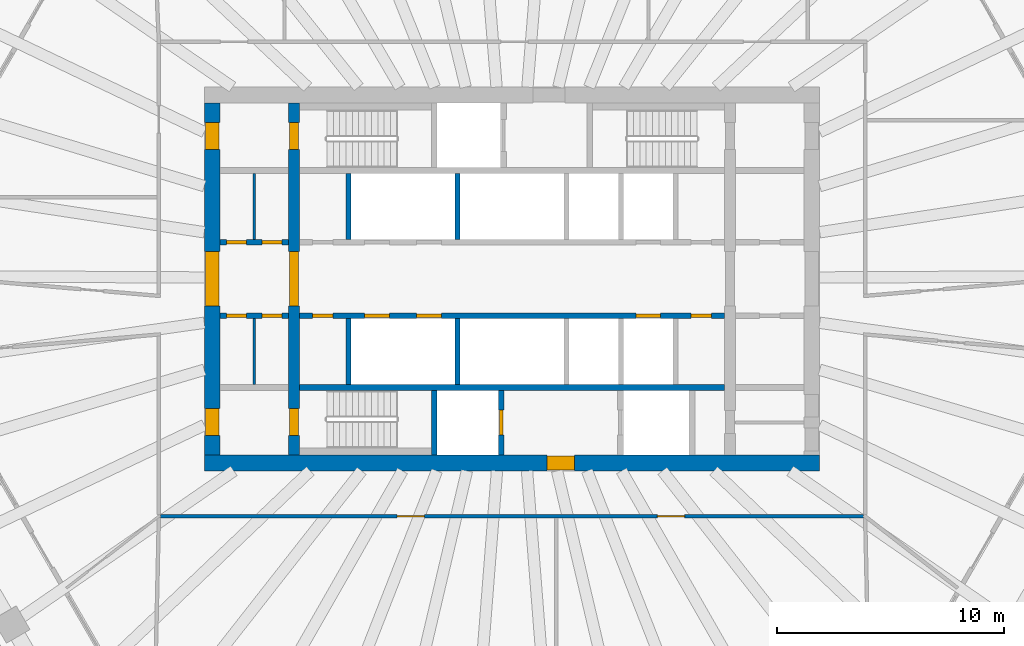
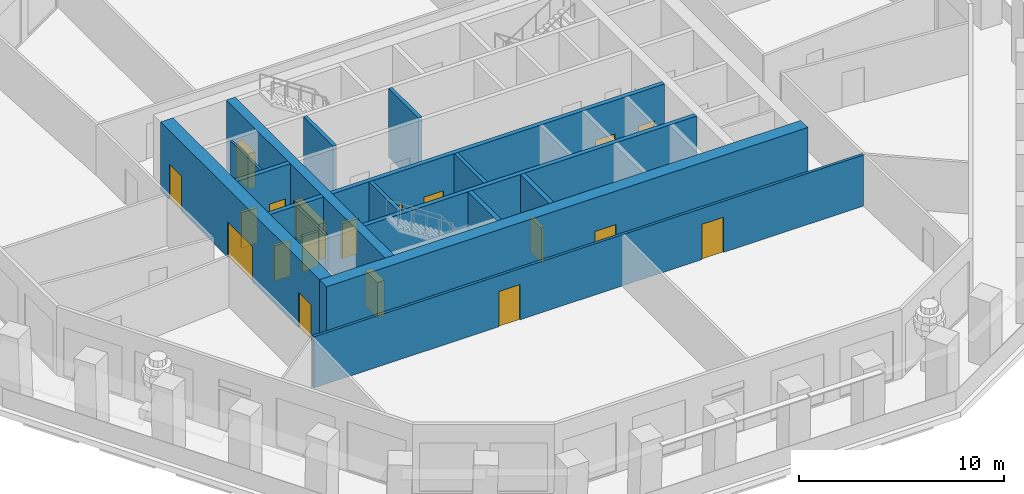
# One storey, part 4 of 12: 19 doors, 16 walls, 19 openings.
"""IFC4 building model written with IfcOpenShell, lengths in metres."""

from ifc_helpers import new_model, si_unit, direction, frame, frame_2d, origin, place, context, subcontext, project, spatial, rectangle, extrude, material, layer, layer_set, type_object, element, fill, save


model = new_model("IFC4")

# Units and contexts
model_context = context("Model", 3, precision=1e-05, world=origin(), true_north=direction((0.0, 1.0)))
body_context = subcontext(model_context, "Body", "Model", "MODEL_VIEW")
ifc_project = project(units=[si_unit("LENGTHUNIT", "METRE"), si_unit("AREAUNIT", "SQUARE_METRE"), si_unit("VOLUMEUNIT", "CUBIC_METRE"), si_unit("PLANEANGLEUNIT", "RADIAN"), si_unit("MASSUNIT", "GRAM", prefix="KILO")], contexts=[model_context])

# Site, building, storey
site_placement = place(None, origin())
site = spatial("IfcSite", under=ifc_project, at=site_placement, CompositionType="ELEMENT")
building_placement = place(site_placement, origin())
building = spatial("IfcBuilding", under=site, at=building_placement, Name="Frailejon Research Tower", CompositionType="ELEMENT")
storey_placement = place(building_placement, frame((0.0, 0.0, 149.60009765625)))
storey = spatial("IfcBuildingStorey", under=building, at=storey_placement, Name="L32", CompositionType="ELEMENT", Elevation=149.60009765625)

# Walls
ifc_material_1 = material(Name="Plasterboard on steel studs", Category="steel")
ifc_layer_1 = layer(ifc_material_1, 0.125)
ifc_layer_set_1 = layer_set([ifc_layer_1], Name="Core partition 125")
wall_type_1 = type_object("IfcWallType", Name="Core partition 125", PredefinedType="PARTITIONING", material=ifc_layer_set_1)
for number, where, z_axis, x_axis, name in (
    (1, (-11.35009765625, 1.75, 0.0), (0.0, 0.0, 1.0), (0.0, 1.0, 0.0), "Core partition"),
    (2, (-11.35009765625, -4.64990234375, 0.0), (0.0, 0.0, 1.0), (0.0, 1.0, 0.0), "Core partition"),
):
    element("IfcWall", number, at=place(storey_placement, frame(where, z_axis=z_axis, x_axis=x_axis)), inside=storey, type_object=wall_type_1, Name=name, PredefinedType="PARTITIONING", context=body_context, shape_type="SweptSolid", body=[
        extrude(rectangle(XDim=2.89990234375, YDim=0.125, at=frame_2d((1.449951171875, 0.0))), origin(), (0.0, 0.0, 1.0), 4.099853515625),
    ])

# Wall, openings, doors
ifc_material_2 = material(Name="Concrete C60/75", Category="concrete")
ifc_layer_2 = layer(ifc_material_2, 0.5)
ifc_layer_set_2 = layer_set([ifc_layer_2], Name="Core shear wall 500 C60/75")
wall_type_2 = type_object("IfcWallType", Name="Core shear wall 500 C60/75", PredefinedType="SHEAR", material=ifc_layer_set_2)
wall_1_placement = place(storey_placement, frame((-9.60009765625, -7.75, 0.0), z_axis=(0.0, 0.0, 1.0), x_axis=(0.0, 1.0, 0.0)))
wall_1 = element("IfcWall", 3, at=wall_1_placement, inside=storey, type_object=wall_type_2, Name="Core shear wall", PredefinedType="SHEAR", context=body_context, shape_type="SweptSolid", body=[
    extrude(rectangle(XDim=15.5, YDim=0.5, at=frame_2d((7.75, 0.0))), origin(), (0.0, 0.0, 1.0), 4.099853515625),
])
opening_1_placement = place(wall_1_placement, frame((6.550048828125, 0.0, 0.0)))
opening_1 = element("IfcOpeningElement", 4, at=opening_1_placement, cuts=wall_1, Name="Opening D2", PredefinedType="OPENING", context=body_context, shape_type="SweptSolid", body=[
    extrude(rectangle(XDim=2.39990234375, YDim=2.10009765625, at=frame_2d((1.199951171875, 1.050048828125))), frame((0.0, 0.260009765625, 0.0), z_axis=(0.0, -1.0, 0.0), x_axis=(1.0, 0.0, 0.0)), (0.0, 0.0, 1.0), 0.52001953125),
])
opening_2_placement = place(wall_1_placement, frame((13.449951171875, 0.0, 0.0)))
opening_2 = element("IfcOpeningElement", 5, at=opening_2_placement, cuts=wall_1, Name="Opening D1", PredefinedType="OPENING", context=body_context, shape_type="SweptSolid", body=[
    extrude(rectangle(XDim=1.199951171875, YDim=2.10009765625, at=frame_2d((0.60009765625, 1.050048828125))), frame((0.0, 0.260009765625, 0.0), z_axis=(0.0, -1.0, 0.0), x_axis=(1.0, 0.0, 0.0)), (0.0, 0.0, 1.0), 0.52001953125),
])
opening_3_placement = place(wall_1_placement, frame((0.85009765625, 0.0, 0.0)))
opening_3 = element("IfcOpeningElement", 6, at=opening_3_placement, cuts=wall_1, Name="Opening D1", PredefinedType="OPENING", context=body_context, shape_type="SweptSolid", body=[
    extrude(rectangle(XDim=1.199951171875, YDim=2.10009765625, at=frame_2d((0.60009765625, 1.050048828125))), frame((0.0, 0.260009765625, 0.0), z_axis=(0.0, -1.0, 0.0), x_axis=(1.0, 0.0, 0.0)), (0.0, 0.0, 1.0), 0.52001953125),
])
ifc_material_3 = material(Name="Steel", Category="steel")
door_type_1 = type_object("IfcDoorType", Name="Lobby double door", OperationType="DOUBLE_DOOR_SINGLE_SWING", PredefinedType="DOOR", material=ifc_material_3)
door_1_placement = place(opening_1_placement, origin())
door_1 = element("IfcDoor", 7, at=door_1_placement, inside=storey, type_object=door_type_1, Name="Lobby door", OperationType="DOUBLE_DOOR_SINGLE_SWING", OverallHeight=2.10009765625, OverallWidth=2.39990234375, PredefinedType="DOOR", context=body_context, shape_type="SweptSolid", body=[
    extrude(rectangle(XDim=2.39990234375, YDim=2.10009765625, at=frame_2d((1.199951171875, 1.050048828125))), frame((0.0, 0.199951171875, 0.0), z_axis=(0.0, -1.0, 0.0), x_axis=(1.0, 0.0, 0.0)), (0.0, 0.0, 1.0), 0.39990234375),
])
fill(opening_1, door_1)
ifc_material_4 = material(Name="Steel", Category="steel")
door_type_2 = type_object("IfcDoorType", Name="Stair door", OperationType="SINGLE_SWING_LEFT", PredefinedType="DOOR", material=ifc_material_4)
door_2_placement = place(opening_2_placement, origin())
door_2 = element("IfcDoor", 8, at=door_2_placement, inside=storey, type_object=door_type_2, Name="Stair door ST1", OperationType="SINGLE_SWING_LEFT", OverallHeight=2.10009765625, OverallWidth=1.199951171875, PredefinedType="DOOR", context=body_context, shape_type="SweptSolid", body=[
    extrude(rectangle(XDim=1.199951171875, YDim=2.10009765625, at=frame_2d((0.60009765625, 1.050048828125))), frame((0.0, 0.199951171875, 0.0), z_axis=(0.0, -1.0, 0.0), x_axis=(1.0, 0.0, 0.0)), (0.0, 0.0, 1.0), 0.39990234375),
])
fill(opening_2, door_2)
door_3_placement = place(opening_3_placement, origin())
door_3 = element("IfcDoor", 9, at=door_3_placement, inside=storey, type_object=door_type_2, Name="Stair door ST2", OperationType="SINGLE_SWING_LEFT", OverallHeight=2.10009765625, OverallWidth=1.199951171875, PredefinedType="DOOR", context=body_context, shape_type="SweptSolid", body=[
    extrude(rectangle(XDim=1.199951171875, YDim=2.10009765625, at=frame_2d((0.60009765625, 1.050048828125))), frame((0.0, 0.199951171875, 0.0), z_axis=(0.0, -1.0, 0.0), x_axis=(1.0, 0.0, 0.0)), (0.0, 0.0, 1.0), 0.39990234375),
])
fill(opening_3, door_3)

# Wall, opening, door
ifc_material_5 = material(Name="Concrete C60/75", Category="concrete")
ifc_layer_3 = layer(ifc_material_5, 0.699951171875)
ifc_layer_set_3 = layer_set([ifc_layer_3], Name="Core shear wall 700 C60/75")
wall_type_3 = type_object("IfcWallType", Name="Core shear wall 700 C60/75", PredefinedType="SHEAR", material=ifc_layer_set_3)
wall_2_placement = place(storey_placement, frame((-13.550048828125, -8.10009765625, 0.0), z_axis=(0.0, 0.0, 1.0), x_axis=(1.0, 0.0, 0.0)))
wall_2 = element("IfcWall", 10, at=wall_2_placement, inside=storey, type_object=wall_type_3, Name="Core shear wall", PredefinedType="SHEAR", context=body_context, shape_type="SweptSolid", body=[
    extrude(rectangle(XDim=27.10009765625, YDim=0.699951171875, at=frame_2d((13.550048828125, 0.0))), origin(), (0.0, 0.0, 1.0), 4.099853515625),
])
opening_4_placement = place(wall_2_placement, frame((15.10009765625, 0.0, 0.0)))
opening_4 = element("IfcOpeningElement", 11, at=opening_4_placement, cuts=wall_2, Name="Opening D3", PredefinedType="OPENING", context=body_context, shape_type="SweptSolid", body=[
    extrude(rectangle(XDim=1.199951171875, YDim=2.10009765625, at=frame_2d((0.60009765625, 1.050048828125))), frame((0.0, 0.35986328125, 0.0), z_axis=(0.0, -1.0, 0.0), x_axis=(1.0, 0.0, 0.0)), (0.0, 0.0, 1.0), 0.719970703125),
])
ifc_material_6 = material(Name="Steel", Category="steel")
door_type_3 = type_object("IfcDoorType", Name="Firefighting lobby door", OperationType="SINGLE_SWING_LEFT", PredefinedType="DOOR", material=ifc_material_6)
door_4_placement = place(opening_4_placement, origin())
door_4 = element("IfcDoor", 12, at=door_4_placement, inside=storey, type_object=door_type_3, Name="Firefighting lobby door", OperationType="SINGLE_SWING_LEFT", OverallHeight=2.10009765625, OverallWidth=1.199951171875, PredefinedType="DOOR", context=body_context, shape_type="SweptSolid", body=[
    extrude(rectangle(XDim=1.199951171875, YDim=2.10009765625, at=frame_2d((0.60009765625, 1.050048828125))), frame((0.0, 0.300048828125, 0.0), z_axis=(0.0, -1.0, 0.0), x_axis=(1.0, 0.0, 0.0)), (0.0, 0.0, 1.0), 0.60009765625),
])
fill(opening_4, door_4)

# Wall, openings, doors
wall_3_placement = place(storey_placement, frame((-13.199951171875, -7.75, 0.0), z_axis=(0.0, 0.0, 1.0), x_axis=(0.0, 1.0, 0.0)))
wall_3 = element("IfcWall", 13, at=wall_3_placement, inside=storey, type_object=wall_type_3, Name="Core shear wall", PredefinedType="SHEAR", context=body_context, shape_type="SweptSolid", body=[
    extrude(rectangle(XDim=15.5, YDim=0.699951171875, at=frame_2d((7.75, 0.0))), origin(), (0.0, 0.0, 1.0), 4.099853515625),
])
opening_5_placement = place(wall_3_placement, frame((6.550048828125, 0.0, 0.0)))
opening_5 = element("IfcOpeningElement", 14, at=opening_5_placement, cuts=wall_3, Name="Opening D2", PredefinedType="OPENING", context=body_context, shape_type="SweptSolid", body=[
    extrude(rectangle(XDim=2.39990234375, YDim=2.10009765625, at=frame_2d((1.199951171875, 1.050048828125))), frame((0.0, 0.35986328125, 0.0), z_axis=(0.0, -1.0, 0.0), x_axis=(1.0, 0.0, 0.0)), (0.0, 0.0, 1.0), 0.719970703125),
])
opening_6_placement = place(wall_3_placement, frame((13.449951171875, 0.0, 0.0)))
opening_6 = element("IfcOpeningElement", 15, at=opening_6_placement, cuts=wall_3, Name="Opening D7", PredefinedType="OPENING", context=body_context, shape_type="SweptSolid", body=[
    extrude(rectangle(XDim=1.199951171875, YDim=2.10009765625, at=frame_2d((0.60009765625, 1.050048828125))), frame((0.0, 0.35986328125, 0.0), z_axis=(0.0, -1.0, 0.0), x_axis=(1.0, 0.0, 0.0)), (0.0, 0.0, 1.0), 0.719970703125),
])
opening_7_placement = place(wall_3_placement, frame((0.85009765625, 0.0, 0.0)))
opening_7 = element("IfcOpeningElement", 16, at=opening_7_placement, cuts=wall_3, Name="Opening D7", PredefinedType="OPENING", context=body_context, shape_type="SweptSolid", body=[
    extrude(rectangle(XDim=1.199951171875, YDim=2.10009765625, at=frame_2d((0.60009765625, 1.050048828125))), frame((0.0, 0.35986328125, 0.0), z_axis=(0.0, -1.0, 0.0), x_axis=(1.0, 0.0, 0.0)), (0.0, 0.0, 1.0), 0.719970703125),
])
door_5_placement = place(opening_5_placement, origin())
door_5 = element("IfcDoor", 17, at=door_5_placement, inside=storey, type_object=door_type_1, Name="Lobby door", OperationType="DOUBLE_DOOR_SINGLE_SWING", OverallHeight=2.10009765625, OverallWidth=2.39990234375, PredefinedType="DOOR", context=body_context, shape_type="SweptSolid", body=[
    extrude(rectangle(XDim=2.39990234375, YDim=2.10009765625, at=frame_2d((1.199951171875, 1.050048828125))), frame((0.0, 0.300048828125, 0.0), z_axis=(0.0, -1.0, 0.0), x_axis=(1.0, 0.0, 0.0)), (0.0, 0.0, 1.0), 0.60009765625),
])
fill(opening_5, door_5)
ifc_material_7 = material(Name="Steel", Category="steel")
door_type_4 = type_object("IfcDoorType", Name="Stair exit door", OperationType="SINGLE_SWING_LEFT", PredefinedType="DOOR", material=ifc_material_7)
door_6_placement = place(opening_6_placement, origin())
door_6 = element("IfcDoor", 18, at=door_6_placement, inside=storey, type_object=door_type_4, Name="Stair exit door ST1", OperationType="SINGLE_SWING_RIGHT", OverallHeight=2.10009765625, OverallWidth=1.199951171875, PredefinedType="DOOR", context=body_context, shape_type="SweptSolid", body=[
    extrude(rectangle(XDim=1.199951171875, YDim=2.10009765625, at=frame_2d((0.60009765625, 1.050048828125))), frame((0.0, 0.300048828125, 0.0), z_axis=(0.0, -1.0, 0.0), x_axis=(1.0, 0.0, 0.0)), (0.0, 0.0, 1.0), 0.60009765625),
])
fill(opening_6, door_6)
door_7_placement = place(opening_7_placement, origin())
door_7 = element("IfcDoor", 19, at=door_7_placement, inside=storey, type_object=door_type_4, Name="Stair exit door ST2", OperationType="SINGLE_SWING_RIGHT", OverallHeight=2.10009765625, OverallWidth=1.199951171875, PredefinedType="DOOR", context=body_context, shape_type="SweptSolid", body=[
    extrude(rectangle(XDim=1.199951171875, YDim=2.10009765625, at=frame_2d((0.60009765625, 1.050048828125))), frame((0.0, 0.300048828125, 0.0), z_axis=(0.0, -1.0, 0.0), x_axis=(1.0, 0.0, 0.0)), (0.0, 0.0, 1.0), 0.60009765625),
])
fill(opening_7, door_7)

ifc_material_8 = material(Name="Gypsum board and masonry partition", Category="masonry")
ifc_layer_4 = layer(ifc_material_8, 0.14990234375)
ifc_layer_set_4 = layer_set([ifc_layer_4], Name="Corridor wall EI 60, gypsum on steel studs 150")
wall_type_4 = type_object("IfcWallType", Name="Corridor wall EI 60, gypsum on steel studs 150", PredefinedType="PARTITIONING", material=ifc_layer_set_4)
wall_4_placement = place(storey_placement, frame((-15.47509765625, -10.449951171875, 0.0), z_axis=(0.0, 0.0, 1.0), x_axis=(1.0, 0.0, 0.0)))
wall_4 = element("IfcWall", 20, at=wall_4_placement, inside=storey, type_object=wall_type_4, Name="T:IW:L32:006", PredefinedType="PARTITIONING", context=body_context, shape_type="SweptSolid", body=[
    extrude(rectangle(XDim=30.9501953125, YDim=0.14990234375, at=frame_2d((15.47509765625, 0.0))), origin(), (0.0, 0.0, 1.0), 3.0498046875),
])
opening_8_placement = place(wall_4_placement, frame((10.41845703125, 0.0, 0.0)))
opening_8 = element("IfcOpeningElement", 21, at=opening_8_placement, cuts=wall_4, Name="Opening D1717", PredefinedType="OPENING", context=body_context, shape_type="SweptSolid", body=[
    extrude(rectangle(XDim=1.199951171875, YDim=2.10009765625, at=frame_2d((0.60009765625, 1.050048828125))), frame((0.0, 0.0849609375, 0.0), z_axis=(0.0, -1.0, 0.0), x_axis=(1.0, 0.0, 0.0)), (0.0, 0.0, 1.0), 0.169921875),
])
opening_9_placement = place(wall_4_placement, frame((21.87353515625, 0.0, 0.0)))
opening_9 = element("IfcOpeningElement", 22, at=opening_9_placement, cuts=wall_4, Name="Opening D1718", PredefinedType="OPENING", context=body_context, shape_type="SweptSolid", body=[
    extrude(rectangle(XDim=1.199951171875, YDim=2.10009765625, at=frame_2d((0.60009765625, 1.050048828125))), frame((0.0, 0.0849609375, 0.0), z_axis=(0.0, -1.0, 0.0), x_axis=(1.0, 0.0, 0.0)), (0.0, 0.0, 1.0), 0.169921875),
])
ifc_material_9 = material(Name="Timber door leaf", Category="wood")
door_type_5 = type_object("IfcDoorType", Name="Door laboratory, timber, vision panel 1200", OperationType="NOTDEFINED", PredefinedType="DOOR", material=ifc_material_9)
door_8_placement = place(opening_8_placement, origin())
door_8 = element("IfcDoor", 23, at=door_8_placement, inside=storey, type_object=door_type_5, Name="D1717", OperationType="DOUBLE_DOOR_SINGLE_SWING", OverallHeight=2.10009765625, OverallWidth=1.199951171875, PredefinedType="DOOR", context=body_context, shape_type="SweptSolid", body=[
    extrude(rectangle(XDim=1.199951171875, YDim=2.10009765625, at=frame_2d((0.60009765625, 1.050048828125))), frame((0.0, 0.02490234375, 0.0), z_axis=(0.0, -1.0, 0.0), x_axis=(1.0, 0.0, 0.0)), (0.0, 0.0, 1.0), 0.050048828125),
])
fill(opening_8, door_8)
door_9_placement = place(opening_9_placement, origin())
door_9 = element("IfcDoor", 24, at=door_9_placement, inside=storey, type_object=door_type_5, Name="D1718", OperationType="DOUBLE_DOOR_SINGLE_SWING", OverallHeight=2.10009765625, OverallWidth=1.199951171875, PredefinedType="DOOR", context=body_context, shape_type="SweptSolid", body=[
    extrude(rectangle(XDim=1.199951171875, YDim=2.10009765625, at=frame_2d((0.60009765625, 1.050048828125))), frame((0.0, 0.02490234375, 0.0), z_axis=(0.0, -1.0, 0.0), x_axis=(1.0, 0.0, 0.0)), (0.0, 0.0, 1.0), 0.050048828125),
])
fill(opening_9, door_9)

# Walls
ifc_material_10 = material(Name="Concrete C60/75", Category="concrete")
ifc_layer_5 = layer(ifc_material_10, 0.199951171875)
ifc_layer_set_5 = layer_set([ifc_layer_5], Name="Shaft wall 200 C60/75")
wall_type_5 = type_object("IfcWallType", Name="Shaft wall 200 C60/75", PredefinedType="SOLIDWALL", material=ifc_layer_set_5)
for number, where, z_axis, x_axis, name in (
    (25, (-7.199951171875, 1.75, 0.0), (0.0, 0.0, 1.0), (0.0, 1.0, 0.0), "Shaft wall"),
    (26, (-2.39990234375, 1.75, 0.0), (0.0, 0.0, 1.0), (0.0, 1.0, 0.0), "Shaft wall"),
    (27, (-7.199951171875, -4.64990234375, 0.0), (0.0, 0.0, 1.0), (0.0, 1.0, 0.0), "Shaft wall"),
    (28, (-2.39990234375, -4.64990234375, 0.0), (0.0, 0.0, 1.0), (0.0, 1.0, 0.0), "Shaft wall"),
):
    element("IfcWall", number, at=place(storey_placement, frame(where, z_axis=z_axis, x_axis=x_axis)), inside=storey, type_object=wall_type_5, Name=name, PredefinedType="SOLIDWALL", context=body_context, shape_type="SweptSolid", body=[
        extrude(rectangle(XDim=2.89990234375, YDim=0.199951171875, at=frame_2d((1.449951171875, 0.0))), origin(), (0.0, 0.0, 1.0), 4.099853515625),
    ])

# Wall, openings, doors
ifc_material_11 = material(Name="Concrete C60/75", Category="concrete")
ifc_layer_6 = layer(ifc_material_11, 0.25)
ifc_layer_set_6 = layer_set([ifc_layer_6], Name="Shaft wall 250 C60/75")
wall_type_6 = type_object("IfcWallType", Name="Shaft wall 250 C60/75", PredefinedType="SOLIDWALL", material=ifc_layer_set_6)
wall_5_placement = place(storey_placement, frame((-12.85009765625, 1.625, 0.0), z_axis=(0.0, 0.0, 1.0), x_axis=(1.0, 0.0, 0.0)))
wall_5 = element("IfcWall", 29, at=wall_5_placement, inside=storey, type_object=wall_type_6, Name="Shaft wall", PredefinedType="SOLIDWALL", context=body_context, shape_type="SweptSolid", body=[
    extrude(rectangle(XDim=3.0, YDim=0.25, at=frame_2d((1.5, 0.0))), origin(), (0.0, 0.0, 1.0), 4.099853515625),
])
opening_10_placement = place(wall_5_placement, frame((0.268798828125, 0.0, 0.0)))
opening_10 = element("IfcOpeningElement", 30, at=opening_10_placement, cuts=wall_5, Name="Opening D8", PredefinedType="OPENING", context=body_context, shape_type="SweptSolid", body=[
    extrude(rectangle(XDim=0.89990234375, YDim=2.10009765625, at=frame_2d((0.449951171875, 1.050048828125))), frame((0.0, 0.135009765625, 0.0), z_axis=(0.0, -1.0, 0.0), x_axis=(1.0, 0.0, 0.0)), (0.0, 0.0, 1.0), 0.27001953125),
])
opening_11_placement = place(wall_5_placement, frame((1.831298828125, 0.0, 0.0)))
opening_11 = element("IfcOpeningElement", 31, at=opening_11_placement, cuts=wall_5, Name="Opening D8", PredefinedType="OPENING", context=body_context, shape_type="SweptSolid", body=[
    extrude(rectangle(XDim=0.89990234375, YDim=2.10009765625, at=frame_2d((0.449951171875, 1.050048828125))), frame((0.0, 0.135009765625, 0.0), z_axis=(0.0, -1.0, 0.0), x_axis=(1.0, 0.0, 0.0)), (0.0, 0.0, 1.0), 0.27001953125),
])
ifc_material_12 = material(Name="Steel", Category="steel")
door_type_6 = type_object("IfcDoorType", Name="Core room door", OperationType="SINGLE_SWING_LEFT", PredefinedType="DOOR", material=ifc_material_12)
door_10_placement = place(opening_10_placement, origin())
door_10 = element("IfcDoor", 32, at=door_10_placement, inside=storey, type_object=door_type_6, Name="Room door", OperationType="SINGLE_SWING_RIGHT", OverallHeight=2.10009765625, OverallWidth=0.89990234375, PredefinedType="DOOR", context=body_context, shape_type="SweptSolid", body=[
    extrude(rectangle(XDim=0.89990234375, YDim=2.10009765625, at=frame_2d((0.449951171875, 1.050048828125))), frame((0.0, 0.074951171875, 0.0), z_axis=(0.0, -1.0, 0.0), x_axis=(1.0, 0.0, 0.0)), (0.0, 0.0, 1.0), 0.14990234375),
])
fill(opening_10, door_10)
door_11_placement = place(opening_11_placement, origin())
door_11 = element("IfcDoor", 33, at=door_11_placement, inside=storey, type_object=door_type_6, Name="Room door", OperationType="SINGLE_SWING_LEFT", OverallHeight=2.10009765625, OverallWidth=0.89990234375, PredefinedType="DOOR", context=body_context, shape_type="SweptSolid", body=[
    extrude(rectangle(XDim=0.89990234375, YDim=2.10009765625, at=frame_2d((0.449951171875, 1.050048828125))), frame((0.0, 0.074951171875, 0.0), z_axis=(0.0, -1.0, 0.0), x_axis=(1.0, 0.0, 0.0)), (0.0, 0.0, 1.0), 0.14990234375),
])
fill(opening_11, door_11)

wall_6_placement = place(storey_placement, frame((-12.85009765625, -1.625, 0.0), z_axis=(0.0, 0.0, 1.0), x_axis=(1.0, 0.0, 0.0)))
wall_6 = element("IfcWall", 34, at=wall_6_placement, inside=storey, type_object=wall_type_6, Name="Shaft wall", PredefinedType="SOLIDWALL", context=body_context, shape_type="SweptSolid", body=[
    extrude(rectangle(XDim=3.0, YDim=0.25, at=frame_2d((1.5, 0.0))), origin(), (0.0, 0.0, 1.0), 4.099853515625),
])
opening_12_placement = place(wall_6_placement, frame((0.268798828125, 0.0, 0.0)))
opening_12 = element("IfcOpeningElement", 35, at=opening_12_placement, cuts=wall_6, Name="Opening D8", PredefinedType="OPENING", context=body_context, shape_type="SweptSolid", body=[
    extrude(rectangle(XDim=0.89990234375, YDim=2.10009765625, at=frame_2d((0.449951171875, 1.050048828125))), frame((0.0, 0.135009765625, 0.0), z_axis=(0.0, -1.0, 0.0), x_axis=(1.0, 0.0, 0.0)), (0.0, 0.0, 1.0), 0.27001953125),
])
opening_13_placement = place(wall_6_placement, frame((1.831298828125, 0.0, 0.0)))
opening_13 = element("IfcOpeningElement", 36, at=opening_13_placement, cuts=wall_6, Name="Opening D8", PredefinedType="OPENING", context=body_context, shape_type="SweptSolid", body=[
    extrude(rectangle(XDim=0.89990234375, YDim=2.10009765625, at=frame_2d((0.449951171875, 1.050048828125))), frame((0.0, 0.135009765625, 0.0), z_axis=(0.0, -1.0, 0.0), x_axis=(1.0, 0.0, 0.0)), (0.0, 0.0, 1.0), 0.27001953125),
])
door_12_placement = place(opening_12_placement, origin())
door_12 = element("IfcDoor", 37, at=door_12_placement, inside=storey, type_object=door_type_6, Name="Room door", OperationType="SINGLE_SWING_LEFT", OverallHeight=2.10009765625, OverallWidth=0.89990234375, PredefinedType="DOOR", context=body_context, shape_type="SweptSolid", body=[
    extrude(rectangle(XDim=0.89990234375, YDim=2.10009765625, at=frame_2d((0.449951171875, 1.050048828125))), frame((0.0, 0.074951171875, 0.0), z_axis=(0.0, -1.0, 0.0), x_axis=(1.0, 0.0, 0.0)), (0.0, 0.0, 1.0), 0.14990234375),
])
fill(opening_12, door_12)
door_13_placement = place(opening_13_placement, origin())
door_13 = element("IfcDoor", 38, at=door_13_placement, inside=storey, type_object=door_type_6, Name="Room door", OperationType="SINGLE_SWING_RIGHT", OverallHeight=2.10009765625, OverallWidth=0.89990234375, PredefinedType="DOOR", context=body_context, shape_type="SweptSolid", body=[
    extrude(rectangle(XDim=0.89990234375, YDim=2.10009765625, at=frame_2d((0.449951171875, 1.050048828125))), frame((0.0, 0.074951171875, 0.0), z_axis=(0.0, -1.0, 0.0), x_axis=(1.0, 0.0, 0.0)), (0.0, 0.0, 1.0), 0.14990234375),
])
fill(opening_13, door_13)

wall_7_placement = place(storey_placement, frame((-9.35009765625, -1.625, 0.0), z_axis=(0.0, 0.0, 1.0), x_axis=(1.0, 0.0, 0.0)))
wall_7 = element("IfcWall", 39, at=wall_7_placement, inside=storey, type_object=wall_type_6, Name="Shaft wall", PredefinedType="SOLIDWALL", context=body_context, shape_type="SweptSolid", body=[
    extrude(rectangle(XDim=18.7001953125, YDim=0.25, at=frame_2d((9.35009765625, 0.0))), origin(), (0.0, 0.0, 1.0), 4.099853515625),
])
opening_14_placement = place(wall_7_placement, frame((2.85009765625, 0.0, 0.0)))
opening_14 = element("IfcOpeningElement", 40, at=opening_14_placement, cuts=wall_7, Name="Opening LD", PredefinedType="OPENING", context=body_context, shape_type="SweptSolid", body=[
    extrude(rectangle(XDim=1.10009765625, YDim=2.10009765625, at=frame_2d((0.550048828125, 1.050048828125))), frame((0.0, 0.135009765625, 0.0), z_axis=(0.0, -1.0, 0.0), x_axis=(1.0, 0.0, 0.0)), (0.0, 0.0, 1.0), 0.27001953125),
])
opening_15_placement = place(wall_7_placement, frame((5.14990234375, 0.0, 0.0)))
opening_15 = element("IfcOpeningElement", 41, at=opening_15_placement, cuts=wall_7, Name="Opening LD", PredefinedType="OPENING", context=body_context, shape_type="SweptSolid", body=[
    extrude(rectangle(XDim=1.10009765625, YDim=2.10009765625, at=frame_2d((0.550048828125, 1.050048828125))), frame((0.0, 0.135009765625, 0.0), z_axis=(0.0, -1.0, 0.0), x_axis=(1.0, 0.0, 0.0)), (0.0, 0.0, 1.0), 0.27001953125),
])
opening_16_placement = place(wall_7_placement, frame((14.800048828125, 0.0, 0.0)))
opening_16 = element("IfcOpeningElement", 42, at=opening_16_placement, cuts=wall_7, Name="Opening LD", PredefinedType="OPENING", context=body_context, shape_type="SweptSolid", body=[
    extrude(rectangle(XDim=1.10009765625, YDim=2.10009765625, at=frame_2d((0.550048828125, 1.050048828125))), frame((0.0, 0.135009765625, 0.0), z_axis=(0.0, -1.0, 0.0), x_axis=(1.0, 0.0, 0.0)), (0.0, 0.0, 1.0), 0.27001953125),
])
opening_17_placement = place(wall_7_placement, frame((0.574951171875, 0.0, 0.0)))
opening_17 = element("IfcOpeningElement", 43, at=opening_17_placement, cuts=wall_7, Name="Opening D8", PredefinedType="OPENING", context=body_context, shape_type="SweptSolid", body=[
    extrude(rectangle(XDim=0.89990234375, YDim=2.10009765625, at=frame_2d((0.449951171875, 1.050048828125))), frame((0.0, 0.135009765625, 0.0), z_axis=(0.0, -1.0, 0.0), x_axis=(1.0, 0.0, 0.0)), (0.0, 0.0, 1.0), 0.27001953125),
])
opening_18_placement = place(wall_7_placement, frame((17.22509765625, 0.0, 0.0)))
opening_18 = element("IfcOpeningElement", 44, at=opening_18_placement, cuts=wall_7, Name="Opening D8", PredefinedType="OPENING", context=body_context, shape_type="SweptSolid", body=[
    extrude(rectangle(XDim=0.89990234375, YDim=2.10009765625, at=frame_2d((0.449951171875, 1.050048828125))), frame((0.0, 0.135009765625, 0.0), z_axis=(0.0, -1.0, 0.0), x_axis=(1.0, 0.0, 0.0)), (0.0, 0.0, 1.0), 0.27001953125),
])
door_14_placement = place(opening_17_placement, origin())
door_14 = element("IfcDoor", 45, at=door_14_placement, inside=storey, type_object=door_type_6, Name="Room door", OperationType="SINGLE_SWING_LEFT", OverallHeight=2.10009765625, OverallWidth=0.89990234375, PredefinedType="DOOR", context=body_context, shape_type="SweptSolid", body=[
    extrude(rectangle(XDim=0.89990234375, YDim=2.10009765625, at=frame_2d((0.449951171875, 1.050048828125))), frame((0.0, 0.074951171875, 0.0), z_axis=(0.0, -1.0, 0.0), x_axis=(1.0, 0.0, 0.0)), (0.0, 0.0, 1.0), 0.14990234375),
])
fill(opening_17, door_14)
door_15_placement = place(opening_18_placement, origin())
door_15 = element("IfcDoor", 46, at=door_15_placement, inside=storey, type_object=door_type_6, Name="Room door", OperationType="SINGLE_SWING_RIGHT", OverallHeight=2.10009765625, OverallWidth=0.89990234375, PredefinedType="DOOR", context=body_context, shape_type="SweptSolid", body=[
    extrude(rectangle(XDim=0.89990234375, YDim=2.10009765625, at=frame_2d((0.449951171875, 1.050048828125))), frame((0.0, 0.074951171875, 0.0), z_axis=(0.0, -1.0, 0.0), x_axis=(1.0, 0.0, 0.0)), (0.0, 0.0, 1.0), 0.14990234375),
])
fill(opening_18, door_15)
ifc_material_13 = material(Name="Steel", Category="steel")
door_type_7 = type_object("IfcDoorType", Name="Lift landing door", OperationType="DOUBLE_DOOR_SLIDING", PredefinedType="DOOR", material=ifc_material_13)
door_16_placement = place(opening_14_placement, origin())
door_16 = element("IfcDoor", 47, at=door_16_placement, inside=storey, type_object=door_type_7, Name="Lift landing door", OperationType="DOUBLE_DOOR_SLIDING", OverallHeight=2.10009765625, OverallWidth=1.10009765625, PredefinedType="DOOR", context=body_context, shape_type="SweptSolid", body=[
    extrude(rectangle(XDim=1.10009765625, YDim=2.10009765625, at=frame_2d((0.550048828125, 1.050048828125))), frame((0.0, 0.074951171875, 0.0), z_axis=(0.0, -1.0, 0.0), x_axis=(1.0, 0.0, 0.0)), (0.0, 0.0, 1.0), 0.14990234375),
])
fill(opening_14, door_16)
door_17_placement = place(opening_15_placement, origin())
door_17 = element("IfcDoor", 48, at=door_17_placement, inside=storey, type_object=door_type_7, Name="Lift landing door", OperationType="DOUBLE_DOOR_SLIDING", OverallHeight=2.10009765625, OverallWidth=1.10009765625, PredefinedType="DOOR", context=body_context, shape_type="SweptSolid", body=[
    extrude(rectangle(XDim=1.10009765625, YDim=2.10009765625, at=frame_2d((0.550048828125, 1.050048828125))), frame((0.0, 0.074951171875, 0.0), z_axis=(0.0, -1.0, 0.0), x_axis=(1.0, 0.0, 0.0)), (0.0, 0.0, 1.0), 0.14990234375),
])
fill(opening_15, door_17)
door_18_placement = place(opening_16_placement, origin())
door_18 = element("IfcDoor", 49, at=door_18_placement, inside=storey, type_object=door_type_7, Name="Lift landing door", OperationType="DOUBLE_DOOR_SLIDING", OverallHeight=2.10009765625, OverallWidth=1.10009765625, PredefinedType="DOOR", context=body_context, shape_type="SweptSolid", body=[
    extrude(rectangle(XDim=1.10009765625, YDim=2.10009765625, at=frame_2d((0.550048828125, 1.050048828125))), frame((0.0, 0.074951171875, 0.0), z_axis=(0.0, -1.0, 0.0), x_axis=(1.0, 0.0, 0.0)), (0.0, 0.0, 1.0), 0.14990234375),
])
fill(opening_16, door_18)

# Walls
wall_8_placement = place(storey_placement, frame((-9.35009765625, -4.77490234375, 0.0), z_axis=(0.0, 0.0, 1.0), x_axis=(1.0, 0.0, 0.0)))
element("IfcWall", 50, at=wall_8_placement, inside=storey, type_object=wall_type_6, Name="Shaft wall", PredefinedType="SOLIDWALL", context=body_context, shape_type="SweptSolid", body=[
    extrude(rectangle(XDim=18.7001953125, YDim=0.25, at=frame_2d((9.35009765625, 0.0))), origin(), (0.0, 0.0, 1.0), 4.099853515625),
])
wall_9_placement = place(storey_placement, frame((-3.425048828125, -7.75, 0.0), z_axis=(0.0, 0.0, 1.0), x_axis=(0.0, 1.0, 0.0)))
element("IfcWall", 51, at=wall_9_placement, inside=storey, type_object=wall_type_6, Name="Shaft wall", PredefinedType="SOLIDWALL", context=body_context, shape_type="SweptSolid", body=[
    extrude(rectangle(XDim=2.85009765625, YDim=0.25, at=frame_2d((1.425048828125, 0.0))), origin(), (0.0, 0.0, 1.0), 4.099853515625),
])

# Wall, opening, door
wall_10_placement = place(storey_placement, frame((-0.47509765625, -7.75, 0.0), z_axis=(0.0, 0.0, 1.0), x_axis=(0.0, 1.0, 0.0)))
wall_10 = element("IfcWall", 52, at=wall_10_placement, inside=storey, type_object=wall_type_6, Name="Shaft wall", PredefinedType="SOLIDWALL", context=body_context, shape_type="SweptSolid", body=[
    extrude(rectangle(XDim=2.85009765625, YDim=0.25, at=frame_2d((1.425048828125, 0.0))), origin(), (0.0, 0.0, 1.0), 4.099853515625),
])
opening_19_placement = place(wall_10_placement, frame((0.875, 0.0, 0.0)))
opening_19 = element("IfcOpeningElement", 53, at=opening_19_placement, cuts=wall_10, Name="Opening LD", PredefinedType="OPENING", context=body_context, shape_type="SweptSolid", body=[
    extrude(rectangle(XDim=1.10009765625, YDim=2.10009765625, at=frame_2d((0.550048828125, 1.050048828125))), frame((0.0, 0.135009765625, 0.0), z_axis=(0.0, -1.0, 0.0), x_axis=(1.0, 0.0, 0.0)), (0.0, 0.0, 1.0), 0.27001953125),
])
door_19_placement = place(opening_19_placement, origin())
door_19 = element("IfcDoor", 54, at=door_19_placement, inside=storey, type_object=door_type_7, Name="Lift landing door", OperationType="DOUBLE_DOOR_SLIDING", OverallHeight=2.10009765625, OverallWidth=1.10009765625, PredefinedType="DOOR", context=body_context, shape_type="SweptSolid", body=[
    extrude(rectangle(XDim=1.10009765625, YDim=2.10009765625, at=frame_2d((0.550048828125, 1.050048828125))), frame((0.0, 0.074951171875, 0.0), z_axis=(0.0, -1.0, 0.0), x_axis=(1.0, 0.0, 0.0)), (0.0, 0.0, 1.0), 0.14990234375),
])
fill(opening_19, door_19)

save(model, "model.ifc")
